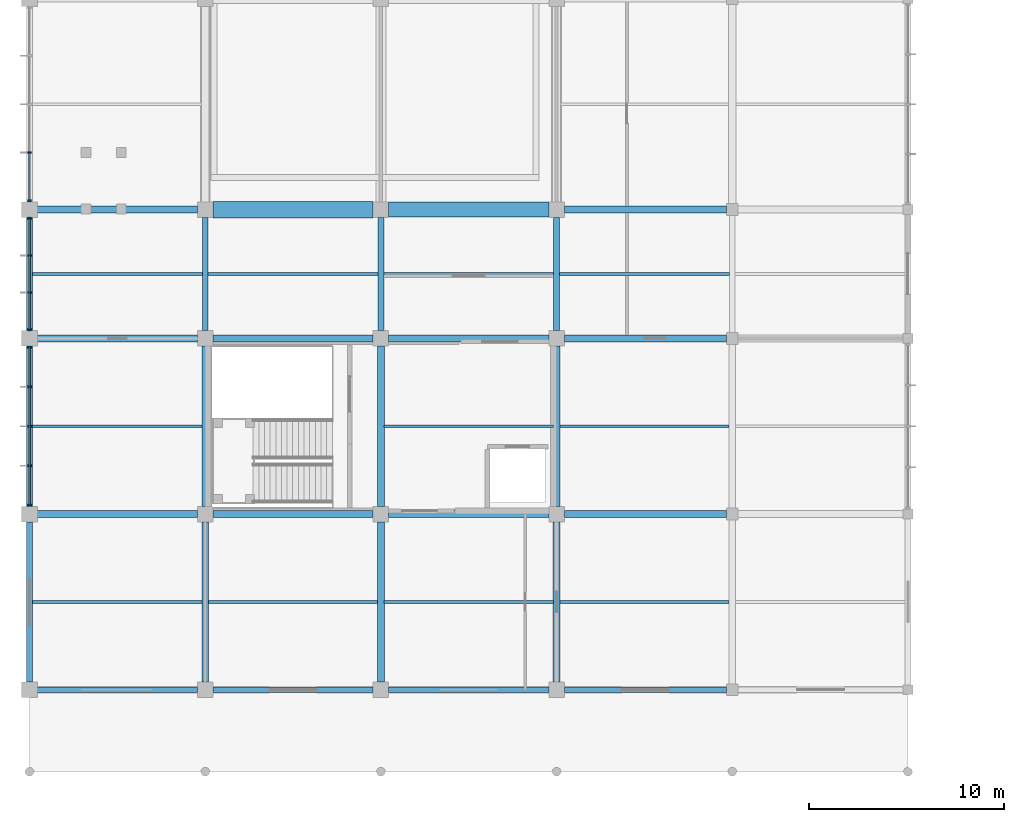
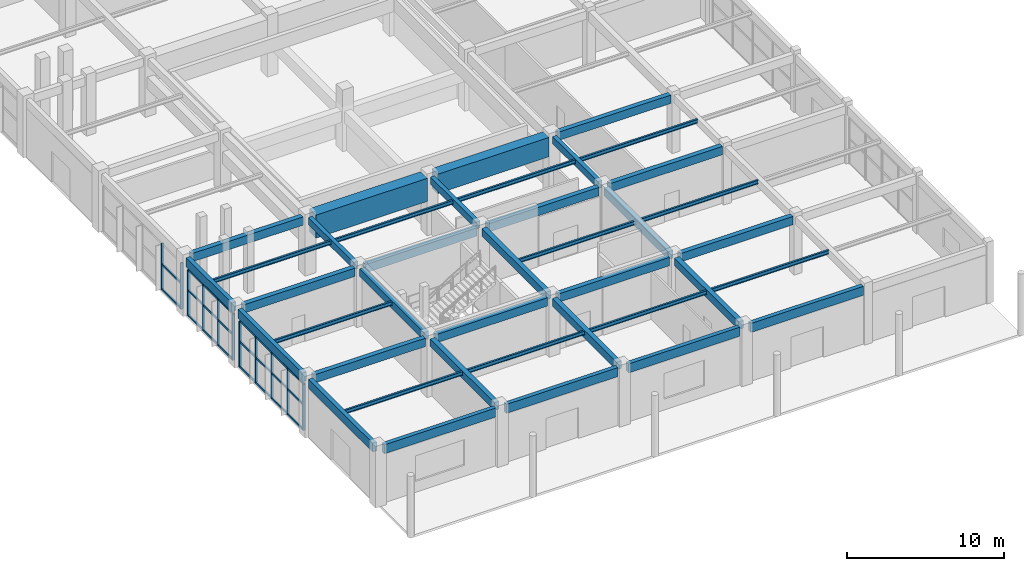
# One storey, part 16 of 82: 39 beams, 29 members, 3 elements without a shape of their own.
"""IFC4 building model written with IfcOpenShell, lengths in metres."""

from ifc_helpers import new_model, si_unit, direction, frame, origin, origin_2d, place, context, subcontext, project, spatial, rectangle, i_section, extrude, material, material_profile, profile_set, type_object, element, aggregate, save


model = new_model("IFC4")

# Units and contexts
model_context = context("Model", 3, precision=1e-05, world=origin(), true_north=direction((0.0, 1.0)))
body_context = subcontext(model_context, "Body", "Model", "MODEL_VIEW")
ifc_project = project(units=[si_unit("LENGTHUNIT", "METRE"), si_unit("AREAUNIT", "SQUARE_METRE"), si_unit("VOLUMEUNIT", "CUBIC_METRE"), si_unit("PLANEANGLEUNIT", "RADIAN"), si_unit("MASSUNIT", "GRAM", prefix="KILO")], contexts=[model_context])

# Site, building, storey
site_placement = place(None, origin())
site = spatial("IfcSite", under=ifc_project, at=site_placement, CompositionType="ELEMENT")
building_placement = place(site_placement, origin())
building = spatial("IfcBuilding", under=site, at=building_placement, Name="Suirenkawa Promenade Aquatics Centre", CompositionType="ELEMENT")
storey_placement = place(building_placement, origin())
storey = spatial("IfcBuildingStorey", under=building, at=storey_placement, Name="L00", CompositionType="ELEMENT", Elevation=0.0)

# Beams
ifc_material_1 = material(Name="Steel IS 2062 E350 (Grade 350)", Category="steel")
ifc_material_profile_1 = material_profile(ifc_material_1, i_section(OverallWidth=0.139892578125, OverallDepth=0.300048828125, WebThickness=0.008056640625, FlangeThickness=0.012939453125, at=origin_2d()), Name="ISMB 300", Category="steel")
ifc_profile_set_1 = profile_set([ifc_material_profile_1], Name="Steel IS 2062 E350 (Grade 350)")
beam_type_1 = type_object("IfcBeamType", Name="BT-JOIST-ISMB300", PredefinedType="JOIST", material=ifc_profile_set_1)
for number, where, z_axis, x_axis, name in (
    (1, (0.14404296875, 8.699951171875, 4.347900390625), (1.0, 0.0, 0.0), (0.0, 1.0, 0.0), "Secondary floor joist JS-02 BM-0332"),
    (2, (0.14404296875, 17.699951171875, 4.347900390625), (1.0, 0.0, 0.0), (0.0, 1.0, 0.0), "Secondary floor joist JS-02 BM-0333"),
):
    element("IfcBeam", number, at=place(storey_placement, frame(where, z_axis=z_axis, x_axis=x_axis)), inside=storey, type_object=beam_type_1, Name=name, PredefinedType="JOIST", context=body_context, shape_type="SweptSolid", body=[
        extrude(i_section(OverallWidth=0.139892578125, OverallDepth=0.300048828125, WebThickness=0.008056640625, FlangeThickness=0.012939453125, at=origin_2d()), origin(), (0.0, 0.0, 1.0), 8.68701171875),
    ])
beam_1_placement = place(storey_placement, frame((0.14404296875, 25.5, 4.347900390625), z_axis=(1.0, 0.0, 0.0), x_axis=(0.0, 1.0, 0.0)))
element("IfcBeam", 3, at=beam_1_placement, inside=storey, type_object=beam_type_1, Name="Secondary floor joist JS-02 BM-0334", PredefinedType="JOIST", context=body_context, shape_type="SweptSolid", body=[
    extrude(i_section(OverallWidth=0.139892578125, OverallDepth=0.300048828125, WebThickness=0.008056640625, FlangeThickness=0.012939453125, at=origin_2d()), origin(), (0.0, 0.0, 1.0), 8.7119140625),
])
beam_2_placement = place(storey_placement, frame((9.1689453125, 8.699951171875, 4.347900390625), z_axis=(1.0, 0.0, 0.0), x_axis=(0.0, 1.0, 0.0)))
element("IfcBeam", 4, at=beam_2_placement, inside=storey, type_object=beam_type_1, Name="Secondary floor joist JS-02 BM-0344", PredefinedType="JOIST", context=body_context, shape_type="SweptSolid", body=[
    extrude(i_section(OverallWidth=0.139892578125, OverallDepth=0.300048828125, WebThickness=0.008056640625, FlangeThickness=0.012939453125, at=origin_2d()), origin(), (0.0, 0.0, 1.0), 8.662109375),
])
beam_3_placement = place(storey_placement, frame((9.14404296875, 25.5, 4.347900390625), z_axis=(1.0, 0.0, 0.0), x_axis=(0.0, 1.0, 0.0)))
element("IfcBeam", 5, at=beam_3_placement, inside=storey, type_object=beam_type_1, Name="Secondary floor joist JS-02 BM-0345", PredefinedType="JOIST", context=body_context, shape_type="SweptSolid", body=[
    extrude(i_section(OverallWidth=0.139892578125, OverallDepth=0.300048828125, WebThickness=0.008056640625, FlangeThickness=0.012939453125, at=origin_2d()), origin(), (0.0, 0.0, 1.0), 8.7119140625),
])
for number, where, z_axis, x_axis, name in (
    (6, (18.1689453125, 8.699951171875, 4.347900390625), (1.0, 0.0, 0.0), (0.0, 1.0, 0.0), "Secondary floor joist JS-02 BM-0352"),
    (7, (18.1689453125, 17.699951171875, 4.347900390625), (1.0, 0.0, 0.0), (0.0, 1.0, 0.0), "Secondary floor joist JS-02 BM-0353"),
):
    element("IfcBeam", number, at=place(storey_placement, frame(where, z_axis=z_axis, x_axis=x_axis)), inside=storey, type_object=beam_type_1, Name=name, PredefinedType="JOIST", context=body_context, shape_type="SweptSolid", body=[
        extrude(i_section(OverallWidth=0.139892578125, OverallDepth=0.300048828125, WebThickness=0.008056640625, FlangeThickness=0.012939453125, at=origin_2d()), origin(), (0.0, 0.0, 1.0), 8.662109375),
    ])
beam_4_placement = place(storey_placement, frame((18.14404296875, 25.5, 4.347900390625), z_axis=(1.0, 0.0, 0.0), x_axis=(0.0, 1.0, 0.0)))
element("IfcBeam", 8, at=beam_4_placement, inside=storey, type_object=beam_type_1, Name="Secondary floor joist JS-02 BM-0354", PredefinedType="JOIST", context=body_context, shape_type="SweptSolid", body=[
    extrude(i_section(OverallWidth=0.139892578125, OverallDepth=0.300048828125, WebThickness=0.008056640625, FlangeThickness=0.012939453125, at=origin_2d()), origin(), (0.0, 0.0, 1.0), 8.7119140625),
])
for number, where, z_axis, x_axis, name in (
    (9, (27.1689453125, 8.699951171875, 4.347900390625), (1.0, 0.0, 0.0), (0.0, 1.0, 0.0), "Secondary floor joist JS-02 BM-0362"),
    (10, (27.1689453125, 17.699951171875, 4.347900390625), (1.0, 0.0, 0.0), (0.0, 1.0, 0.0), "Secondary floor joist JS-02 BM-0363"),
):
    element("IfcBeam", number, at=place(storey_placement, frame(where, z_axis=z_axis, x_axis=x_axis)), inside=storey, type_object=beam_type_1, Name=name, PredefinedType="JOIST", context=body_context, shape_type="SweptSolid", body=[
        extrude(i_section(OverallWidth=0.139892578125, OverallDepth=0.300048828125, WebThickness=0.008056640625, FlangeThickness=0.012939453125, at=origin_2d()), origin(), (0.0, 0.0, 1.0), 8.662109375),
    ])
beam_5_placement = place(storey_placement, frame((27.14404296875, 25.5, 4.347900390625), z_axis=(1.0, 0.0, 0.0), x_axis=(0.0, 1.0, 0.0)))
element("IfcBeam", 11, at=beam_5_placement, inside=storey, type_object=beam_type_1, Name="Secondary floor joist JS-02 BM-0364", PredefinedType="JOIST", context=body_context, shape_type="SweptSolid", body=[
    extrude(i_section(OverallWidth=0.139892578125, OverallDepth=0.300048828125, WebThickness=0.008056640625, FlangeThickness=0.012939453125, at=origin_2d()), origin(), (0.0, 0.0, 1.0), 8.7119140625),
])
ifc_material_2 = material(Name="Concrete M35", Category="concrete")
ifc_material_profile_2 = material_profile(ifc_material_2, rectangle(XDim=0.300048828125, YDim=0.550048828125, at=origin_2d()), Name="RC BM 300x550", Category="concrete")
ifc_profile_set_2 = profile_set([ifc_material_profile_2], Name="Concrete M35")
beam_type_2 = type_object("IfcBeamType", Name="BT-RC-300x550", PredefinedType="BEAM", material=ifc_profile_set_2)
for number, where, z_axis, x_axis, name in (
    (12, (9.0, 22.593994140625, 4.22509765625), (0.0, 1.0, 0.0), (-1.0, 0.0, 0.0), "Floor beam BM-01 BM-0276"),
    (13, (18.0, 22.593994140625, 4.22509765625), (0.0, 1.0, 0.0), (-1.0, 0.0, 0.0), "Floor beam BM-01 BM-0288"),
    (14, (27.0, 22.593994140625, 4.22509765625), (0.0, 1.0, 0.0), (-1.0, 0.0, 0.0), "Floor beam BM-01 BM-0298"),
):
    element("IfcBeam", number, at=place(storey_placement, frame(where, z_axis=z_axis, x_axis=x_axis)), inside=storey, type_object=beam_type_2, Name=name, PredefinedType="BEAM", context=body_context, shape_type="SweptSolid", body=[
        extrude(rectangle(XDim=0.300048828125, YDim=0.550048828125, at=origin_2d()), origin(), (0.0, 0.0, 1.0), 5.81201171875),
    ])
ifc_material_profile_3 = material_profile(ifc_material_2, rectangle(XDim=0.35009765625, YDim=0.60009765625, at=origin_2d()), Name="RC BM 350x600", Category="concrete")
ifc_profile_set_3 = profile_set([ifc_material_profile_3], Name="Concrete M35")
beam_type_3 = type_object("IfcBeamType", Name="BT-RC-350x600", PredefinedType="BEAM", material=ifc_profile_set_3)
for number, where, z_axis, x_axis, name in (
    (15, (9.0, 4.593994140625, 4.199951171875), (0.0, 1.0, 0.0), (-1.0, 0.0, 0.0), "Floor beam BM-02 BM-0274"),
    (16, (9.0, 13.593994140625, 4.199951171875), (0.0, 1.0, 0.0), (-1.0, 0.0, 0.0), "Floor beam BM-02 BM-0275"),
    (17, (18.0, 4.593994140625, 4.199951171875), (0.0, 1.0, 0.0), (-1.0, 0.0, 0.0), "Floor beam BM-02 BM-0286"),
    (18, (18.0, 13.593994140625, 4.199951171875), (0.0, 1.0, 0.0), (-1.0, 0.0, 0.0), "Floor beam BM-02 BM-0287"),
    (19, (27.0, 4.593994140625, 4.199951171875), (0.0, 1.0, 0.0), (-1.0, 0.0, 0.0), "Floor beam BM-02 BM-0296"),
    (20, (27.0, 13.593994140625, 4.199951171875), (0.0, 1.0, 0.0), (-1.0, 0.0, 0.0), "Floor beam BM-02 BM-0297"),
):
    element("IfcBeam", number, at=place(storey_placement, frame(where, z_axis=z_axis, x_axis=x_axis)), inside=storey, type_object=beam_type_3, Name=name, PredefinedType="BEAM", context=body_context, shape_type="SweptSolid", body=[
        extrude(rectangle(XDim=0.35009765625, YDim=0.60009765625, at=origin_2d()), origin(), (0.0, 0.0, 1.0), 8.2119140625),
    ])
ifc_material_profile_4 = material_profile(ifc_material_2, rectangle(XDim=0.35009765625, YDim=0.64990234375, at=origin_2d()), Name="RC BM 350x650", Category="concrete")
ifc_profile_set_4 = profile_set([ifc_material_profile_4], Name="Concrete M35")
beam_type_4 = type_object("IfcBeamType", Name="BT-RC-350x650", PredefinedType="BEAM", material=ifc_profile_set_4)
for number, where, z_axis, x_axis, name in (
    (21, (0.39404296875, 13.199951171875, 4.175048828125), (1.0, 0.0, 0.0), (0.0, 1.0, 0.0), "Floor beam BM-03 BM-0204"),
    (22, (9.39404296875, 13.199951171875, 4.175048828125), (1.0, 0.0, 0.0), (0.0, 1.0, 0.0), "Floor beam BM-03 BM-0205"),
    (23, (18.39404296875, 13.199951171875, 4.175048828125), (1.0, 0.0, 0.0), (0.0, 1.0, 0.0), "Floor beam BM-03 BM-0206"),
):
    element("IfcBeam", number, at=place(storey_placement, frame(where, z_axis=z_axis, x_axis=x_axis)), inside=storey, type_object=beam_type_4, Name=name, PredefinedType="BEAM", context=body_context, shape_type="SweptSolid", body=[
        extrude(rectangle(XDim=0.35009765625, YDim=0.64990234375, at=origin_2d()), origin(), (0.0, 0.0, 1.0), 8.2119140625),
    ])
beam_6_placement = place(storey_placement, frame((27.39404296875, 13.199951171875, 4.175048828125), z_axis=(1.0, 0.0, 0.0), x_axis=(0.0, 1.0, 0.0)))
element("IfcBeam", 24, at=beam_6_placement, inside=storey, type_object=beam_type_4, Name="Floor beam BM-03 BM-0207", PredefinedType="BEAM", context=body_context, shape_type="SweptSolid", body=[
    extrude(rectangle(XDim=0.35009765625, YDim=0.64990234375, at=origin_2d()), origin(), (0.0, 0.0, 1.0), 8.31201171875),
])
for number, where, z_axis, x_axis, name in (
    (25, (0.39404296875, 22.199951171875, 4.175048828125), (1.0, 0.0, 0.0), (0.0, 1.0, 0.0), "Floor beam BM-03 BM-0209"),
    (26, (9.39404296875, 22.199951171875, 4.175048828125), (1.0, 0.0, 0.0), (0.0, 1.0, 0.0), "Floor beam BM-03 BM-0210"),
    (27, (18.39404296875, 22.199951171875, 4.175048828125), (1.0, 0.0, 0.0), (0.0, 1.0, 0.0), "Floor beam BM-03 BM-0211"),
):
    element("IfcBeam", number, at=place(storey_placement, frame(where, z_axis=z_axis, x_axis=x_axis)), inside=storey, type_object=beam_type_4, Name=name, PredefinedType="BEAM", context=body_context, shape_type="SweptSolid", body=[
        extrude(rectangle(XDim=0.35009765625, YDim=0.64990234375, at=origin_2d()), origin(), (0.0, 0.0, 1.0), 8.2119140625),
    ])
beam_7_placement = place(storey_placement, frame((27.39404296875, 22.199951171875, 4.175048828125), z_axis=(1.0, 0.0, 0.0), x_axis=(0.0, 1.0, 0.0)))
element("IfcBeam", 28, at=beam_7_placement, inside=storey, type_object=beam_type_4, Name="Floor beam BM-03 BM-0212", PredefinedType="BEAM", context=body_context, shape_type="SweptSolid", body=[
    extrude(rectangle(XDim=0.35009765625, YDim=0.64990234375, at=origin_2d()), origin(), (0.0, 0.0, 1.0), 8.31201171875),
])
beam_8_placement = place(storey_placement, frame((0.39404296875, 28.800048828125, 4.175048828125), z_axis=(1.0, 0.0, 0.0), x_axis=(0.0, 1.0, 0.0)))
element("IfcBeam", 29, at=beam_8_placement, inside=storey, type_object=beam_type_4, Name="Floor beam BM-03 BM-0214", PredefinedType="BEAM", context=body_context, shape_type="SweptSolid", body=[
    extrude(rectangle(XDim=0.35009765625, YDim=0.64990234375, at=origin_2d()), origin(), (0.0, 0.0, 1.0), 8.2119140625),
])
beam_9_placement = place(storey_placement, frame((27.39404296875, 28.800048828125, 4.175048828125), z_axis=(1.0, 0.0, 0.0), x_axis=(0.0, 1.0, 0.0)))
element("IfcBeam", 30, at=beam_9_placement, inside=storey, type_object=beam_type_4, Name="Floor beam BM-03 BM-0217", PredefinedType="BEAM", context=body_context, shape_type="SweptSolid", body=[
    extrude(rectangle(XDim=0.35009765625, YDim=0.64990234375, at=origin_2d()), origin(), (0.0, 0.0, 1.0), 8.31201171875),
])
ifc_material_3 = material(Name="Concrete M40", Category="concrete")
ifc_material_profile_5 = material_profile(ifc_material_3, rectangle(XDim=0.300048828125, YDim=0.699951171875, at=origin_2d()), Name="RC SPANDREL 300x700", Category="concrete")
ifc_profile_set_5 = profile_set([ifc_material_profile_5], Name="Concrete M40")
beam_type_5 = type_object("IfcBeamType", Name="BT-SPANDREL-300x700", PredefinedType="SPANDREL", material=ifc_profile_set_5)
for number, where, z_axis, x_axis, name in (
    (31, (0.39404296875, 4.199951171875, 4.14990234375), (1.0, 0.0, 0.0), (0.0, 1.0, 0.0), "Floor beam SP-01 BM-0199"),
    (32, (9.39404296875, 4.199951171875, 4.14990234375), (1.0, 0.0, 0.0), (0.0, 1.0, 0.0), "Floor beam SP-01 BM-0200"),
    (33, (18.39404296875, 4.199951171875, 4.14990234375), (1.0, 0.0, 0.0), (0.0, 1.0, 0.0), "Floor beam SP-01 BM-0201"),
):
    element("IfcBeam", number, at=place(storey_placement, frame(where, z_axis=z_axis, x_axis=x_axis)), inside=storey, type_object=beam_type_5, Name=name, PredefinedType="SPANDREL", context=body_context, shape_type="SweptSolid", body=[
        extrude(rectangle(XDim=0.300048828125, YDim=0.699951171875, at=origin_2d()), origin(), (0.0, 0.0, 1.0), 8.2119140625),
    ])
beam_10_placement = place(storey_placement, frame((27.39404296875, 4.199951171875, 4.14990234375), z_axis=(1.0, 0.0, 0.0), x_axis=(0.0, 1.0, 0.0)))
element("IfcBeam", 34, at=beam_10_placement, inside=storey, type_object=beam_type_5, Name="Floor beam SP-01 BM-0202", PredefinedType="SPANDREL", context=body_context, shape_type="SweptSolid", body=[
    extrude(rectangle(XDim=0.300048828125, YDim=0.699951171875, at=origin_2d()), origin(), (0.0, 0.0, 1.0), 8.31201171875),
])
for number, where, z_axis, x_axis, name in (
    (35, (0.0, 4.593994140625, 4.14990234375), (0.0, 1.0, 0.0), (-1.0, 0.0, 0.0), "Floor beam SP-01 BM-0262"),
    (36, (0.0, 13.593994140625, 4.14990234375), (0.0, 1.0, 0.0), (-1.0, 0.0, 0.0), "Floor beam SP-01 BM-0263"),
):
    element("IfcBeam", number, at=place(storey_placement, frame(where, z_axis=z_axis, x_axis=x_axis)), inside=storey, type_object=beam_type_5, Name=name, PredefinedType="SPANDREL", context=body_context, shape_type="SweptSolid", body=[
        extrude(rectangle(XDim=0.300048828125, YDim=0.699951171875, at=origin_2d()), origin(), (0.0, 0.0, 1.0), 8.2119140625),
    ])
beam_11_placement = place(storey_placement, frame((0.0, 22.593994140625, 4.14990234375), z_axis=(0.0, 1.0, 0.0), x_axis=(-1.0, 0.0, 0.0)))
element("IfcBeam", 37, at=beam_11_placement, inside=storey, type_object=beam_type_5, Name="Floor beam SP-01 BM-0264", PredefinedType="SPANDREL", context=body_context, shape_type="SweptSolid", body=[
    extrude(rectangle(XDim=0.300048828125, YDim=0.699951171875, at=origin_2d()), origin(), (0.0, 0.0, 1.0), 5.81201171875),
])
ifc_material_profile_6 = material_profile(ifc_material_3, rectangle(XDim=0.75, YDim=1.5, at=origin_2d()), Name="RC TRANSFER 750x1500", Category="concrete")
ifc_profile_set_6 = profile_set([ifc_material_profile_6], Name="Concrete M40")
beam_type_6 = type_object("IfcBeamType", Name="BT-TRANSFER-750x1500", PredefinedType="BEAM", material=ifc_profile_set_6)
beam_12_placement = place(storey_placement, frame((18.39404296875, 28.800048828125, 3.75), z_axis=(1.0, 0.0, 0.0), x_axis=(0.0, 1.0, 0.0)))
element("IfcBeam", 38, at=beam_12_placement, inside=storey, type_object=beam_type_6, Name="Floor beam TG-01 BM-0216", PredefinedType="BEAM", context=body_context, shape_type="SweptSolid", body=[
    extrude(rectangle(XDim=0.75, YDim=1.5, at=origin_2d()), origin(), (0.0, 0.0, 1.0), 8.2119140625),
])
ifc_material_profile_7 = material_profile(ifc_material_3, rectangle(XDim=0.85009765625, YDim=1.800048828125, at=origin_2d()), Name="RC TRANSFER 850x1800", Category="concrete")
ifc_profile_set_7 = profile_set([ifc_material_profile_7], Name="Concrete M40")
beam_type_7 = type_object("IfcBeamType", Name="BT-TRANSFER-850x1800", PredefinedType="BEAM", material=ifc_profile_set_7)
beam_13_placement = place(storey_placement, frame((9.39404296875, 28.800048828125, 3.60009765625), z_axis=(1.0, 0.0, 0.0), x_axis=(0.0, 1.0, 0.0)))
element("IfcBeam", 39, at=beam_13_placement, inside=storey, type_object=beam_type_7, Name="Floor beam TG-02 BM-0215", PredefinedType="BEAM", context=body_context, shape_type="SweptSolid", body=[
    extrude(rectangle(XDim=0.85009765625, YDim=1.800048828125, at=origin_2d()), origin(), (0.0, 0.0, 1.0), 8.2119140625),
])

# Curtain wall, members
ifc_material_4 = material(Name="Anodised aluminium 6063-T6", Category="aluminium")
curtain_wall_type_1 = type_object("IfcCurtainWallType", Name="CWAT-V5WL00-42", PredefinedType="NOTDEFINED", material=ifc_material_4)
curtain_wall_1_placement = place(storey_placement, origin())
curtain_wall_1 = element("IfcCurtainWall", 40, at=curtain_wall_1_placement, inside=storey, type_object=curtain_wall_type_1, Name="Curtain wall CWA-42 CW-085", PredefinedType="NOTDEFINED")
ifc_material_profile_8 = material_profile(ifc_material_4, rectangle(XDim=0.094970703125, YDim=0.18994140625, at=origin_2d()), Name="ALU MULL 95x190", Category="aluminium")
ifc_profile_set_8 = profile_set([ifc_material_profile_8], Name="Anodised aluminium 6063-T6")
member_type_1 = type_object("IfcMemberType", Name="CWM-190x95", PredefinedType="MULLION", material=ifc_profile_set_8)
member_1_placement = place(storey_placement, frame((0.0, 13.64892578125, 0.0), z_axis=(0.0, 0.0, 1.0), x_axis=(0.0, 1.0, 0.0)))
member_1 = element("IfcMember", 41, at=member_1_placement, type_object=member_type_1, Name="Mullion ML-02 CWM-01669", PredefinedType="MULLION", context=body_context, shape_type="SweptSolid", body=[
    extrude(rectangle(XDim=0.094970703125, YDim=0.18994140625, at=origin_2d()), origin(), (0.0, 0.0, 1.0), 3.570068359375),
])
member_2_placement = place(storey_placement, frame((0.0, 15.674560546875, 0.0), z_axis=(0.0, 0.0, 1.0), x_axis=(0.0, 1.0, 0.0)))
member_2 = element("IfcMember", 42, at=member_2_placement, type_object=member_type_1, Name="Mullion ML-02 CWM-01670", PredefinedType="MULLION", context=body_context, shape_type="SweptSolid", body=[
    extrude(rectangle(XDim=0.094970703125, YDim=0.18994140625, at=origin_2d()), origin(), (0.0, 0.0, 1.0), 3.570068359375),
])
member_3_placement = place(storey_placement, frame((0.0, 17.699951171875, 0.0), z_axis=(0.0, 0.0, 1.0), x_axis=(0.0, 1.0, 0.0)))
member_3 = element("IfcMember", 43, at=member_3_placement, type_object=member_type_1, Name="Mullion ML-02 CWM-01671", PredefinedType="MULLION", context=body_context, shape_type="SweptSolid", body=[
    extrude(rectangle(XDim=0.094970703125, YDim=0.18994140625, at=origin_2d()), origin(), (0.0, 0.0, 1.0), 3.570068359375),
])
member_4_placement = place(storey_placement, frame((0.0, 19.7255859375, 0.0), z_axis=(0.0, 0.0, 1.0), x_axis=(0.0, 1.0, 0.0)))
member_4 = element("IfcMember", 44, at=member_4_placement, type_object=member_type_1, Name="Mullion ML-02 CWM-01672", PredefinedType="MULLION", context=body_context, shape_type="SweptSolid", body=[
    extrude(rectangle(XDim=0.094970703125, YDim=0.18994140625, at=origin_2d()), origin(), (0.0, 0.0, 1.0), 3.570068359375),
])
member_5_placement = place(storey_placement, frame((0.0, 21.7509765625, 0.0), z_axis=(0.0, 0.0, 1.0), x_axis=(0.0, 1.0, 0.0)))
member_5 = element("IfcMember", 45, at=member_5_placement, type_object=member_type_1, Name="Mullion ML-02 CWM-01673", PredefinedType="MULLION", context=body_context, shape_type="SweptSolid", body=[
    extrude(rectangle(XDim=0.094970703125, YDim=0.18994140625, at=origin_2d()), origin(), (0.0, 0.0, 1.0), 3.570068359375),
])

curtain_wall_type_2 = type_object("IfcCurtainWallType", Name="CWAT-V5WL00-44", PredefinedType="NOTDEFINED", material=ifc_material_4)
curtain_wall_2_placement = place(storey_placement, origin())
curtain_wall_2 = element("IfcCurtainWall", 46, at=curtain_wall_2_placement, inside=storey, type_object=curtain_wall_type_2, Name="Curtain wall CWA-44 CW-087", PredefinedType="NOTDEFINED")
member_6_placement = place(storey_placement, frame((0.0, 22.64892578125, 0.0), z_axis=(0.0, 0.0, 1.0), x_axis=(0.0, 1.0, 0.0)))
member_6 = element("IfcMember", 47, at=member_6_placement, type_object=member_type_1, Name="Mullion ML-02 CWM-01713", PredefinedType="MULLION", context=body_context, shape_type="SweptSolid", body=[
    extrude(rectangle(XDim=0.094970703125, YDim=0.18994140625, at=origin_2d()), origin(), (0.0, 0.0, 1.0), 3.570068359375),
])
member_7_placement = place(storey_placement, frame((0.0, 24.549560546875, 0.0), z_axis=(0.0, 0.0, 1.0), x_axis=(0.0, 1.0, 0.0)))
member_7 = element("IfcMember", 48, at=member_7_placement, type_object=member_type_1, Name="Mullion ML-02 CWM-01714", PredefinedType="MULLION", context=body_context, shape_type="SweptSolid", body=[
    extrude(rectangle(XDim=0.094970703125, YDim=0.18994140625, at=origin_2d()), origin(), (0.0, 0.0, 1.0), 3.570068359375),
])
member_8_placement = place(storey_placement, frame((0.0, 26.450439453125, 0.0), z_axis=(0.0, 0.0, 1.0), x_axis=(0.0, 1.0, 0.0)))
member_8 = element("IfcMember", 49, at=member_8_placement, type_object=member_type_1, Name="Mullion ML-02 CWM-01715", PredefinedType="MULLION", context=body_context, shape_type="SweptSolid", body=[
    extrude(rectangle(XDim=0.094970703125, YDim=0.18994140625, at=origin_2d()), origin(), (0.0, 0.0, 1.0), 3.570068359375),
])
member_9_placement = place(storey_placement, frame((0.0, 28.35107421875, 0.0), z_axis=(0.0, 0.0, 1.0), x_axis=(0.0, 1.0, 0.0)))
member_9 = element("IfcMember", 50, at=member_9_placement, type_object=member_type_1, Name="Mullion ML-02 CWM-01716", PredefinedType="MULLION", context=body_context, shape_type="SweptSolid", body=[
    extrude(rectangle(XDim=0.094970703125, YDim=0.18994140625, at=origin_2d()), origin(), (0.0, 0.0, 1.0), 3.570068359375),
])

curtain_wall_type_3 = type_object("IfcCurtainWallType", Name="CWAT-V5WL00-45", PredefinedType="NOTDEFINED", material=ifc_material_4)
curtain_wall_3_placement = place(storey_placement, origin())
curtain_wall_3 = element("IfcCurtainWall", 51, at=curtain_wall_3_placement, inside=storey, type_object=curtain_wall_type_3, Name="Curtain wall CWA-45 CW-088", PredefinedType="NOTDEFINED")
member_10_placement = place(storey_placement, frame((0.0, 29.2490234375, 0.0), z_axis=(0.0, 0.0, 1.0), x_axis=(0.0, 1.0, 0.0)))
member_10 = element("IfcMember", 52, at=member_10_placement, type_object=member_type_1, Name="Mullion ML-02 CWM-01730", PredefinedType="MULLION", context=body_context, shape_type="SweptSolid", body=[
    extrude(rectangle(XDim=0.094970703125, YDim=0.18994140625, at=origin_2d()), origin(), (0.0, 0.0, 1.0), 3.570068359375),
])
member_11_placement = place(storey_placement, frame((0.0, 31.724609375, 0.0), z_axis=(0.0, 0.0, 1.0), x_axis=(0.0, 1.0, 0.0)))
member_11 = element("IfcMember", 53, at=member_11_placement, type_object=member_type_1, Name="Mullion ML-02 CWM-01731", PredefinedType="MULLION", context=body_context, shape_type="SweptSolid", body=[
    extrude(rectangle(XDim=0.094970703125, YDim=0.18994140625, at=origin_2d()), origin(), (0.0, 0.0, 1.0), 3.570068359375),
])

# Member
ifc_material_profile_9 = material_profile(ifc_material_4, rectangle(XDim=0.094970703125, YDim=0.14990234375, at=origin_2d()), Name="ALU TRAN 95x150", Category="aluminium")
ifc_profile_set_9 = profile_set([ifc_material_profile_9], Name="Anodised aluminium 6063-T6")
member_type_2 = type_object("IfcMemberType", Name="CWT-150x95", PredefinedType="USERDEFINED", material=ifc_profile_set_9)
member_12_placement = place(storey_placement, frame((0.0, 13.64892578125, 0.0), z_axis=(0.0, 1.0, 0.0), x_axis=(-1.0, 0.0, 0.0)))
member_12 = element("IfcMember", 54, at=member_12_placement, type_object=member_type_2, Name="Transom TR-02 CWT-01674", ObjectType="TRANSOM", PredefinedType="USERDEFINED", context=body_context, shape_type="SweptSolid", body=[
    extrude(rectangle(XDim=0.094970703125, YDim=0.14990234375, at=origin_2d()), origin(), (0.0, 0.0, 1.0), 2.025634765625),
])

member_13_placement = place(storey_placement, frame((0.0, 15.674560546875, 0.0), z_axis=(0.0, 1.0, 0.0), x_axis=(-1.0, 0.0, 0.0)))
member_13 = element("IfcMember", 55, at=member_13_placement, type_object=member_type_2, Name="Transom TR-02 CWT-01675", ObjectType="TRANSOM", PredefinedType="USERDEFINED", context=body_context, shape_type="SweptSolid", body=[
    extrude(rectangle(XDim=0.094970703125, YDim=0.14990234375, at=origin_2d()), origin(), (0.0, 0.0, 1.0), 2.025390625),
])

member_14_placement = place(storey_placement, frame((0.0, 17.699951171875, 0.0), z_axis=(0.0, 1.0, 0.0), x_axis=(-1.0, 0.0, 0.0)))
member_14 = element("IfcMember", 56, at=member_14_placement, type_object=member_type_2, Name="Transom TR-02 CWT-01676", ObjectType="TRANSOM", PredefinedType="USERDEFINED", context=body_context, shape_type="SweptSolid", body=[
    extrude(rectangle(XDim=0.094970703125, YDim=0.14990234375, at=origin_2d()), origin(), (0.0, 0.0, 1.0), 2.025634765625),
])

member_15_placement = place(storey_placement, frame((0.0, 19.7255859375, 0.0), z_axis=(0.0, 1.0, 0.0), x_axis=(-1.0, 0.0, 0.0)))
member_15 = element("IfcMember", 57, at=member_15_placement, type_object=member_type_2, Name="Transom TR-02 CWT-01677", ObjectType="TRANSOM", PredefinedType="USERDEFINED", context=body_context, shape_type="SweptSolid", body=[
    extrude(rectangle(XDim=0.094970703125, YDim=0.14990234375, at=origin_2d()), origin(), (0.0, 0.0, 1.0), 2.025390625),
])

member_16_placement = place(storey_placement, frame((0.0, 13.64892578125, 1.949951171875), z_axis=(0.0, 1.0, 0.0), x_axis=(-1.0, 0.0, 0.0)))
member_16 = element("IfcMember", 58, at=member_16_placement, type_object=member_type_2, Name="Transom TR-02 CWT-01678", ObjectType="TRANSOM", PredefinedType="USERDEFINED", context=body_context, shape_type="SweptSolid", body=[
    extrude(rectangle(XDim=0.094970703125, YDim=0.14990234375, at=origin_2d()), origin(), (0.0, 0.0, 1.0), 2.025634765625),
])

member_17_placement = place(storey_placement, frame((0.0, 15.674560546875, 1.949951171875), z_axis=(0.0, 1.0, 0.0), x_axis=(-1.0, 0.0, 0.0)))
member_17 = element("IfcMember", 59, at=member_17_placement, type_object=member_type_2, Name="Transom TR-02 CWT-01679", ObjectType="TRANSOM", PredefinedType="USERDEFINED", context=body_context, shape_type="SweptSolid", body=[
    extrude(rectangle(XDim=0.094970703125, YDim=0.14990234375, at=origin_2d()), origin(), (0.0, 0.0, 1.0), 2.025390625),
])

member_18_placement = place(storey_placement, frame((0.0, 17.699951171875, 1.949951171875), z_axis=(0.0, 1.0, 0.0), x_axis=(-1.0, 0.0, 0.0)))
member_18 = element("IfcMember", 60, at=member_18_placement, type_object=member_type_2, Name="Transom TR-02 CWT-01680", ObjectType="TRANSOM", PredefinedType="USERDEFINED", context=body_context, shape_type="SweptSolid", body=[
    extrude(rectangle(XDim=0.094970703125, YDim=0.14990234375, at=origin_2d()), origin(), (0.0, 0.0, 1.0), 2.025634765625),
])

member_19_placement = place(storey_placement, frame((0.0, 19.7255859375, 1.949951171875), z_axis=(0.0, 1.0, 0.0), x_axis=(-1.0, 0.0, 0.0)))
member_19 = element("IfcMember", 61, at=member_19_placement, type_object=member_type_2, Name="Transom TR-02 CWT-01681", ObjectType="TRANSOM", PredefinedType="USERDEFINED", context=body_context, shape_type="SweptSolid", body=[
    extrude(rectangle(XDim=0.094970703125, YDim=0.14990234375, at=origin_2d()), origin(), (0.0, 0.0, 1.0), 2.025390625),
])

member_20_placement = place(storey_placement, frame((0.0, 13.64892578125, 3.570068359375), z_axis=(0.0, 1.0, 0.0), x_axis=(-1.0, 0.0, 0.0)))
member_20 = element("IfcMember", 62, at=member_20_placement, type_object=member_type_2, Name="Roofline transom TR-02 CWT-01682", ObjectType="TRANSOM", PredefinedType="USERDEFINED", context=body_context, shape_type="SweptSolid", body=[
    extrude(rectangle(XDim=0.094970703125, YDim=0.14990234375, at=origin_2d()), origin(), (0.0, 0.0, 1.0), 8.10205078125),
])

aggregate(curtain_wall_1, [member_1, member_2, member_3, member_4, member_5, member_12, member_13, member_14, member_15, member_16, member_17, member_18, member_19, member_20])

member_21_placement = place(storey_placement, frame((0.0, 22.64892578125, 0.0), z_axis=(0.0, 1.0, 0.0), x_axis=(-1.0, 0.0, 0.0)))
member_21 = element("IfcMember", 63, at=member_21_placement, type_object=member_type_2, Name="Transom TR-02 CWT-01717", ObjectType="TRANSOM", PredefinedType="USERDEFINED", context=body_context, shape_type="SweptSolid", body=[
    extrude(rectangle(XDim=0.094970703125, YDim=0.14990234375, at=origin_2d()), origin(), (0.0, 0.0, 1.0), 1.900634765625),
])

member_22_placement = place(storey_placement, frame((0.0, 24.549560546875, 0.0), z_axis=(0.0, 1.0, 0.0), x_axis=(-1.0, 0.0, 0.0)))
member_22 = element("IfcMember", 64, at=member_22_placement, type_object=member_type_2, Name="Transom TR-02 CWT-01718", ObjectType="TRANSOM", PredefinedType="USERDEFINED", context=body_context, shape_type="SweptSolid", body=[
    extrude(rectangle(XDim=0.094970703125, YDim=0.14990234375, at=origin_2d()), origin(), (0.0, 0.0, 1.0), 1.90087890625),
])

member_23_placement = place(storey_placement, frame((0.0, 26.450439453125, 0.0), z_axis=(0.0, 1.0, 0.0), x_axis=(-1.0, 0.0, 0.0)))
member_23 = element("IfcMember", 65, at=member_23_placement, type_object=member_type_2, Name="Transom TR-02 CWT-01719", ObjectType="TRANSOM", PredefinedType="USERDEFINED", context=body_context, shape_type="SweptSolid", body=[
    extrude(rectangle(XDim=0.094970703125, YDim=0.14990234375, at=origin_2d()), origin(), (0.0, 0.0, 1.0), 1.900634765625),
])

member_24_placement = place(storey_placement, frame((0.0, 22.64892578125, 1.949951171875), z_axis=(0.0, 1.0, 0.0), x_axis=(-1.0, 0.0, 0.0)))
member_24 = element("IfcMember", 66, at=member_24_placement, type_object=member_type_2, Name="Transom TR-02 CWT-01720", ObjectType="TRANSOM", PredefinedType="USERDEFINED", context=body_context, shape_type="SweptSolid", body=[
    extrude(rectangle(XDim=0.094970703125, YDim=0.14990234375, at=origin_2d()), origin(), (0.0, 0.0, 1.0), 1.900634765625),
])

member_25_placement = place(storey_placement, frame((0.0, 24.549560546875, 1.949951171875), z_axis=(0.0, 1.0, 0.0), x_axis=(-1.0, 0.0, 0.0)))
member_25 = element("IfcMember", 67, at=member_25_placement, type_object=member_type_2, Name="Transom TR-02 CWT-01721", ObjectType="TRANSOM", PredefinedType="USERDEFINED", context=body_context, shape_type="SweptSolid", body=[
    extrude(rectangle(XDim=0.094970703125, YDim=0.14990234375, at=origin_2d()), origin(), (0.0, 0.0, 1.0), 1.90087890625),
])

member_26_placement = place(storey_placement, frame((0.0, 26.450439453125, 1.949951171875), z_axis=(0.0, 1.0, 0.0), x_axis=(-1.0, 0.0, 0.0)))
member_26 = element("IfcMember", 68, at=member_26_placement, type_object=member_type_2, Name="Transom TR-02 CWT-01722", ObjectType="TRANSOM", PredefinedType="USERDEFINED", context=body_context, shape_type="SweptSolid", body=[
    extrude(rectangle(XDim=0.094970703125, YDim=0.14990234375, at=origin_2d()), origin(), (0.0, 0.0, 1.0), 1.900634765625),
])

member_27_placement = place(storey_placement, frame((0.0, 22.64892578125, 3.570068359375), z_axis=(0.0, 1.0, 0.0), x_axis=(-1.0, 0.0, 0.0)))
member_27 = element("IfcMember", 69, at=member_27_placement, type_object=member_type_2, Name="Roofline transom TR-02 CWT-01723", ObjectType="TRANSOM", PredefinedType="USERDEFINED", context=body_context, shape_type="SweptSolid", body=[
    extrude(rectangle(XDim=0.094970703125, YDim=0.14990234375, at=origin_2d()), origin(), (0.0, 0.0, 1.0), 5.7021484375),
])

aggregate(curtain_wall_2, [member_6, member_7, member_8, member_9, member_21, member_22, member_23, member_24, member_25, member_26, member_27])

member_28_placement = place(storey_placement, frame((0.0, 29.2490234375, 0.0), z_axis=(0.0, 1.0, 0.0), x_axis=(-1.0, 0.0, 0.0)))
member_28 = element("IfcMember", 70, at=member_28_placement, type_object=member_type_2, Name="Transom TR-02 CWT-01735", ObjectType="TRANSOM", PredefinedType="USERDEFINED", context=body_context, shape_type="SweptSolid", body=[
    extrude(rectangle(XDim=0.094970703125, YDim=0.14990234375, at=origin_2d()), origin(), (0.0, 0.0, 1.0), 2.4755859375),
])

member_29_placement = place(storey_placement, frame((0.0, 29.2490234375, 1.949951171875), z_axis=(0.0, 1.0, 0.0), x_axis=(-1.0, 0.0, 0.0)))
member_29 = element("IfcMember", 71, at=member_29_placement, type_object=member_type_2, Name="Transom TR-02 CWT-01739", ObjectType="TRANSOM", PredefinedType="USERDEFINED", context=body_context, shape_type="SweptSolid", body=[
    extrude(rectangle(XDim=0.094970703125, YDim=0.14990234375, at=origin_2d()), origin(), (0.0, 0.0, 1.0), 2.4755859375),
])

aggregate(curtain_wall_3, [member_10, member_11, member_28, member_29])

save(model, "model.ifc")
